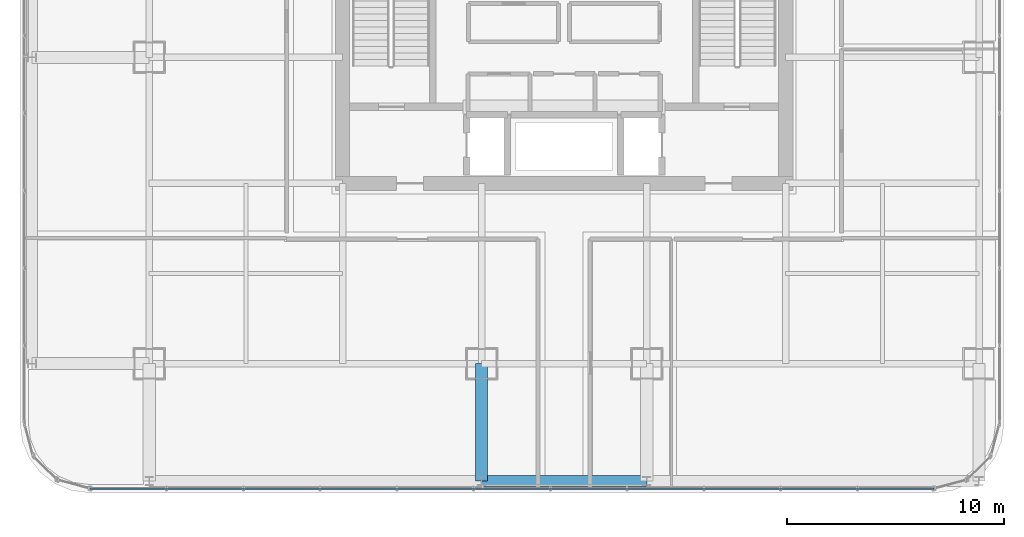
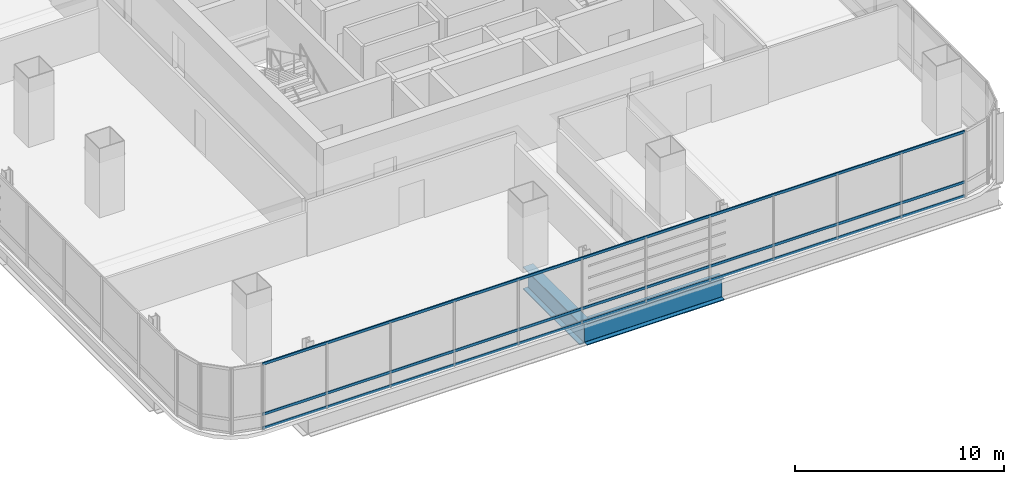
# One storey, part 7 of 37: 3 members, 2 beams, 1 element without a shape of its own.
"""IFC4 building model written with IfcOpenShell, lengths in metres."""

from ifc_helpers import new_model, si_unit, direction, frame, origin, origin_2d, place, context, subcontext, project, spatial, hollow_rectangle, i_section, extrude, material, material_profile, profile_set, type_object, element, aggregate, save


model = new_model("IFC4")

# Units and contexts
model_context = context("Model", 3, precision=1e-05, world=origin(), true_north=direction((0.0, 1.0)))
body_context = subcontext(model_context, "Body", "Model", "MODEL_VIEW")
ifc_project = project(units=[si_unit("LENGTHUNIT", "METRE"), si_unit("AREAUNIT", "SQUARE_METRE"), si_unit("VOLUMEUNIT", "CUBIC_METRE"), si_unit("PLANEANGLEUNIT", "RADIAN"), si_unit("MASSUNIT", "GRAM", prefix="KILO")], contexts=[model_context])

# Site, building, storey
site_placement = place(None, origin())
site = spatial("IfcSite", under=ifc_project, at=site_placement, CompositionType="ELEMENT")
building_placement = place(site_placement, origin())
building = spatial("IfcBuilding", under=site, at=building_placement, Name="Punatoya Terracotta Tower", CompositionType="ELEMENT")
storey_placement = place(building_placement, frame((0.0, 0.0, 192.449951171875)))
storey = spatial("IfcBuildingStorey", under=building, at=storey_placement, Name="L45", CompositionType="ELEMENT", Elevation=192.449951171875)

# Beams
ifc_material_1 = material(Name="Steel S460", Category="steel")
ifc_material_profile_1 = material_profile(ifc_material_1, i_section(OverallWidth=0.56005859375, OverallDepth=1.320068359375, WebThickness=0.035888671875, FlangeThickness=0.054931640625, FilletRadius=0.01806640625, at=origin_2d()))
ifc_profile_set_1 = profile_set([ifc_material_profile_1], Name="Steel S460")
beam_type_1 = type_object("IfcBeamType", Name="BM-TG-BLK", PredefinedType="BEAM", material=ifc_profile_set_1)
beam_1_placement = place(storey_placement, frame((-3.800048828125, -22.89990234375, -0.8798828125), z_axis=(0.0, 1.0, 0.0), x_axis=(-1.0, 0.0, 0.0)))
element("IfcBeam", 1, at=beam_1_placement, inside=storey, type_object=beam_type_1, Name="BM-L45-CANT-S2", PredefinedType="BEAM", context=body_context, shape_type="SweptSolid", body=[
    extrude(i_section(OverallWidth=0.56005859375, OverallDepth=1.320068359375, WebThickness=0.035888671875, FlangeThickness=0.054931640625, FilletRadius=0.01806640625, at=origin_2d()), origin(), (0.0, 0.0, 1.0), 5.39990234375),
])
ifc_material_profile_2 = material_profile(ifc_material_1, i_section(OverallWidth=0.52001953125, OverallDepth=1.280029296875, WebThickness=0.031982421875, FlangeThickness=0.050048828125, FilletRadius=0.01806640625, at=origin_2d()))
ifc_profile_set_2 = profile_set([ifc_material_profile_2], Name="Steel S460")
beam_type_2 = type_object("IfcBeamType", Name="BM-TG-NCK", PredefinedType="BEAM", material=ifc_profile_set_2)
beam_2_placement = place(storey_placement, frame((-3.800048828125, -22.89990234375, -0.85986328125), z_axis=(1.0, 0.0, 0.0), x_axis=(0.0, 1.0, 0.0)))
element("IfcBeam", 2, at=beam_2_placement, inside=storey, type_object=beam_type_2, Name="BM-L45-PER-S2", PredefinedType="BEAM", context=body_context, shape_type="SweptSolid", body=[
    extrude(i_section(OverallWidth=0.52001953125, OverallDepth=1.280029296875, WebThickness=0.031982421875, FlangeThickness=0.050048828125, FilletRadius=0.01806640625, at=origin_2d()), origin(), (0.0, 0.0, 1.0), 7.60009765625),
])

# Curtain wall, members
ifc_material_2 = material(Name="Aluminium 6063-T6 + Double Low-E Glass", Category="aluminium")
curtain_wall_type = type_object("IfcCurtainWallType", Name="CW-M2", PredefinedType="NOTDEFINED", material=ifc_material_2)
curtain_wall_placement = place(storey_placement, origin())
curtain_wall = element("IfcCurtainWall", 3, at=curtain_wall_placement, inside=storey, type_object=curtain_wall_type, Name="L45 Curtain Wall CW-L45-S01-1", PredefinedType="NOTDEFINED")
ifc_material_3 = material(Name="Aluminium 6063-T6", Category="aluminium")
ifc_material_profile_3 = material_profile(ifc_material_3, hollow_rectangle(XDim=0.068115234375, YDim=0.14990234375, WallThickness=0.00390625, at=origin_2d()))
ifc_profile_set_3 = profile_set([ifc_material_profile_3], Name="Aluminium 6063-T6")
member_type = type_object("IfcMemberType", Name="CW-TRN-TYP", PredefinedType="USERDEFINED", material=ifc_profile_set_3)
member_1_placement = place(storey_placement, frame((-21.8369140625, -23.25, 0.0400390625), z_axis=(1.0, 0.0, 0.0), x_axis=(0.0, 1.0, 0.0)))
member_1 = element("IfcMember", 4, at=member_1_placement, type_object=member_type, Name="CW-L45-S01-1 Transom 1", ObjectType="TRANSOM", PredefinedType="USERDEFINED", context=body_context, shape_type="SweptSolid", body=[
    extrude(hollow_rectangle(XDim=0.068115234375, YDim=0.14990234375, WallThickness=0.00390625, at=origin_2d()), origin(), (0.0, 0.0, 1.0), 38.873779296875),
])
member_2_placement = place(storey_placement, frame((-21.8369140625, -23.25, 0.85009765625), z_axis=(1.0, 0.0, 0.0), x_axis=(0.0, 1.0, 0.0)))
member_2 = element("IfcMember", 5, at=member_2_placement, type_object=member_type, Name="CW-L45-S01-1 Transom 2", ObjectType="TRANSOM", PredefinedType="USERDEFINED", context=body_context, shape_type="SweptSolid", body=[
    extrude(hollow_rectangle(XDim=0.068115234375, YDim=0.14990234375, WallThickness=0.00390625, at=origin_2d()), origin(), (0.0, 0.0, 1.0), 38.873779296875),
])
member_3_placement = place(storey_placement, frame((-21.8369140625, -23.25, 3.7900390625), z_axis=(1.0, 0.0, 0.0), x_axis=(0.0, 1.0, 0.0)))
member_3 = element("IfcMember", 6, at=member_3_placement, type_object=member_type, Name="CW-L45-S01-1 Transom 3", ObjectType="TRANSOM", PredefinedType="USERDEFINED", context=body_context, shape_type="SweptSolid", body=[
    extrude(hollow_rectangle(XDim=0.068115234375, YDim=0.14990234375, WallThickness=0.00390625, at=origin_2d()), origin(), (0.0, 0.0, 1.0), 38.873779296875),
])
aggregate(curtain_wall, [member_1, member_2, member_3])

save(model, "model.ifc")
